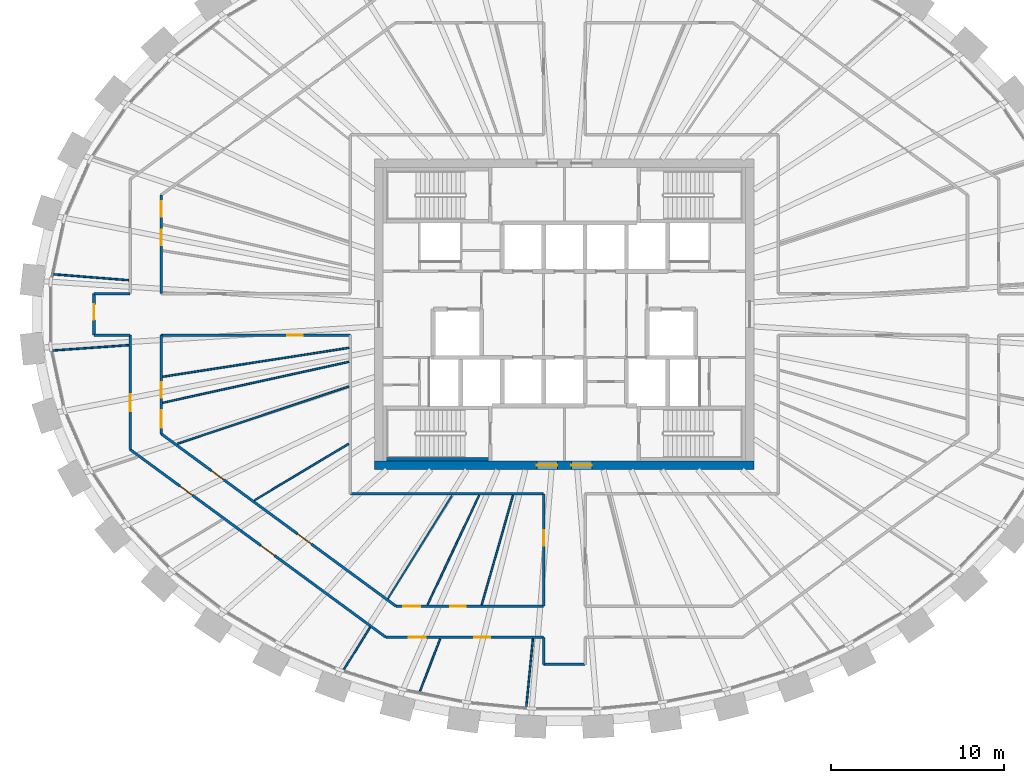
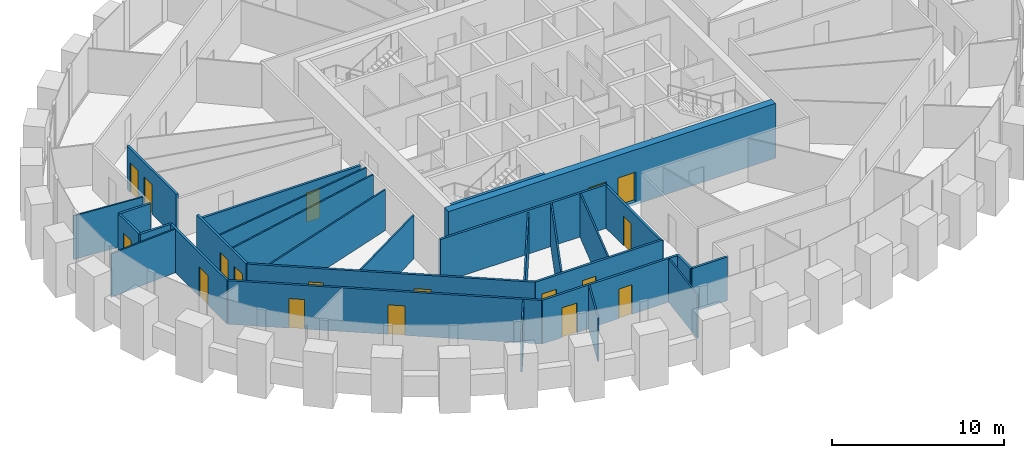
# One storey, part 6 of 12: 29 walls, 18 doors, 18 openings.
"""IFC4 building model written with IfcOpenShell, lengths in metres."""

from ifc_helpers import new_model, si_unit, direction, frame, frame_2d, origin, place, context, subcontext, project, spatial, rectangle, extrude, source, transform, mapped, material, layer, layer_set, type_object, element, fill, save


model = new_model("IFC4")

# Units and contexts
model_context = context("Model", 3, precision=1e-05, world=origin(), true_north=direction((0.0, 1.0)))
body_context = subcontext(model_context, "Body", "Model", "MODEL_VIEW")
ifc_project = project(units=[si_unit("LENGTHUNIT", "METRE"), si_unit("AREAUNIT", "SQUARE_METRE"), si_unit("VOLUMEUNIT", "CUBIC_METRE"), si_unit("PLANEANGLEUNIT", "RADIAN"), si_unit("MASSUNIT", "GRAM", prefix="KILO")], contexts=[model_context])

# Site, building, storey
site_placement = place(None, origin())
site = spatial("IfcSite", under=ifc_project, at=site_placement, CompositionType="ELEMENT")
building_placement = place(site_placement, origin())
building = spatial("IfcBuilding", under=site, at=building_placement, Name="Embergate Tower", CompositionType="ELEMENT")
storey_placement = place(building_placement, frame((0.0, 0.0, 293.5)))
storey = spatial("IfcBuildingStorey", under=building, at=storey_placement, Name="L68", CompositionType="ELEMENT", Elevation=293.5)

# Wall, openings, doors
ifc_material_1 = material(Name="Concrete C50", Category="concrete")
ifc_layer_1 = layer(ifc_material_1, 0.5)
ifc_layer_set_1 = layer_set([ifc_layer_1], Name="Concrete C50")
wall_type_1 = type_object("IfcWallType", Name="Core outer wall C50 500", PredefinedType="SHEAR", material=ifc_layer_set_1)
shared_shape_1 = source(origin(), body_context, "Body", "SweptSolid", [
    extrude(rectangle(XDim=22.0, YDim=0.5, at=frame_2d((11.0, 0.0))), origin(), (0.0, 0.0, 1.0), 3.89990234375),
])
wall_1_placement = place(storey_placement, frame((-11.0, -8.75, -0.199951171875), z_axis=(0.0, 0.0, 1.0), x_axis=(1.0, 0.0, 0.0)))
wall_1 = element("IfcWall", 1, at=wall_1_placement, inside=storey, type_object=wall_type_1, Name="CW-L68-S", PredefinedType="SHEAR", context=body_context, shape_type="MappedRepresentation", body=[
    mapped(shared_shape_1, transform((0.0, 0.0, 0.0))),
])
shared_shape_2 = source(origin(), body_context, "Body", "SweptSolid", [
    extrude(rectangle(XDim=1.199951171875, YDim=2.10009765625, at=frame_2d((0.60009765625, 1.050048828125))), frame((0.0, 0.260009765625, 0.0), z_axis=(0.0, -1.0, 0.0), x_axis=(1.0, 0.0, 0.0)), (0.0, 0.0, 1.0), 0.52001953125),
])
opening_1_placement = place(wall_1_placement, frame((9.39990234375, 0.0, 0.199951171875)))
opening_1 = element("IfcOpeningElement", 2, at=opening_1_placement, cuts=wall_1, Name="Opening IF-1", PredefinedType="OPENING", context=body_context, shape_type="MappedRepresentation", body=[
    mapped(shared_shape_2, transform((0.0, 0.0, 0.0))),
])
opening_2_placement = place(wall_1_placement, frame((11.39990234375, 0.0, 0.199951171875)))
opening_2 = element("IfcOpeningElement", 3, at=opening_2_placement, cuts=wall_1, Name="Opening IF-1", PredefinedType="OPENING", context=body_context, shape_type="MappedRepresentation", body=[
    mapped(shared_shape_2, transform((0.0, 0.0, 0.0))),
])
ifc_material_2 = material(Name="Escape fire door 1200")
door_type_1 = type_object("IfcDoorType", Name="Escape fire door 1200", OperationType="SINGLE_SWING_LEFT", PredefinedType="DOOR", material=ifc_material_2)
shared_shape_3 = source(origin(), body_context, "Body", "SweptSolid", [
    extrude(rectangle(XDim=1.199951171875, YDim=2.10009765625, at=frame_2d((0.60009765625, 1.050048828125))), frame((0.0, 0.02490234375, 0.0), z_axis=(0.0, -1.0, 0.0), x_axis=(1.0, 0.0, 0.0)), (0.0, 0.0, 1.0), 0.050048828125),
])
door_1_placement = place(opening_1_placement, origin())
door_1 = element("IfcDoor", 4, at=door_1_placement, inside=storey, type_object=door_type_1, Name="IF-1 door", OperationType="SINGLE_SWING_RIGHT", OverallHeight=2.10009765625, OverallWidth=1.199951171875, PredefinedType="DOOR", context=body_context, shape_type="MappedRepresentation", body=[
    mapped(shared_shape_3, transform((0.0, 0.0, 0.0))),
])
fill(opening_1, door_1)
door_2_placement = place(opening_2_placement, origin())
door_2 = element("IfcDoor", 5, at=door_2_placement, inside=storey, type_object=door_type_1, Name="IF-1 door", OperationType="SINGLE_SWING_LEFT", OverallHeight=2.10009765625, OverallWidth=1.199951171875, PredefinedType="DOOR", context=body_context, shape_type="MappedRepresentation", body=[
    mapped(shared_shape_3, transform((0.0, 0.0, 0.0))),
])
fill(opening_2, door_2)

# Walls
ifc_layer_2 = layer(ifc_material_1, 0.199951171875)
ifc_layer_set_2 = layer_set([ifc_layer_2], Name="Concrete C50")
wall_type_2 = type_object("IfcWallType", Name="Stair enclosure wall reinforced concrete 250", PredefinedType="SHEAR", material=ifc_layer_set_2)
shared_shape_4 = source(origin(), body_context, "Body", "SweptSolid", [
    extrude(rectangle(XDim=6.298095703125, YDim=0.199951171875, at=frame_2d((3.14892578125, 0.0))), origin(), (0.0, 0.0, 1.0), 3.699951171875),
])
wall_2_placement = place(storey_placement, frame((-10.5, -8.39990234375, 0.0), z_axis=(0.0, 0.0, 1.0), x_axis=(1.0, 0.0, 0.0)))
element("IfcWall", 6, at=wall_2_placement, inside=storey, type_object=wall_type_2, Name="SE-1 wall", PredefinedType="SHEAR", context=body_context, shape_type="MappedRepresentation", body=[
    mapped(shared_shape_4, transform((0.0, 0.0, 0.0))),
])
ifc_material_3 = material(Name="Corridor wall dry-lined 150")
ifc_layer_3 = layer(ifc_material_3, 0.14990234375)
ifc_layer_set_3 = layer_set([ifc_layer_3], Name="Corridor wall dry-lined 150")
wall_type_3 = type_object("IfcWallType", Name="Corridor wall dry-lined 150", PredefinedType="PARTITIONING", material=ifc_layer_set_3)
shared_shape_5 = source(origin(), body_context, "Body", "SweptSolid", [
    extrude(rectangle(XDim=11.199951171875, YDim=0.14990234375, at=frame_2d((5.60009765625, 0.0))), origin(), (0.0, 0.0, 1.0), 3.10009765625),
])
wall_3_placement = place(storey_placement, frame((-12.39990234375, -10.39990234375, 0.0), z_axis=(0.0, 0.0, 1.0), x_axis=(1.0, 0.0, 0.0)))
element("IfcWall", 7, at=wall_3_placement, inside=storey, type_object=wall_type_3, Name="IP-2 wall", PredefinedType="PARTITIONING", context=body_context, shape_type="MappedRepresentation", body=[
    mapped(shared_shape_5, transform((0.0, 0.0, 0.0))),
])
shared_shape_6 = source(origin(), body_context, "Body", "SweptSolid", [
    extrude(rectangle(XDim=2.39990234375, YDim=0.14990234375, at=frame_2d((1.199951171875, 0.0))), origin(), (0.0, 0.0, 1.0), 3.10009765625),
])
wall_4_placement = place(storey_placement, frame((1.199951171875, -20.281005859375, 0.0), z_axis=(0.0, 0.0, 1.0), x_axis=(-1.0, 0.0, 0.0)))
element("IfcWall", 8, at=wall_4_placement, inside=storey, type_object=wall_type_3, Name="IP-2 wall", PredefinedType="PARTITIONING", context=body_context, shape_type="MappedRepresentation", body=[
    mapped(shared_shape_6, transform((0.0, 0.0, 0.0))),
])

# Wall, opening, door
wall_5_placement = place(storey_placement, frame((-27.264892578125, -1.199951171875, 0.0), z_axis=(0.0, 0.0, 1.0), x_axis=(0.0, 1.0, 0.0)))
wall_5 = element("IfcWall", 9, at=wall_5_placement, inside=storey, type_object=wall_type_3, Name="IP-2 wall", PredefinedType="PARTITIONING", context=body_context, shape_type="MappedRepresentation", body=[
    mapped(shared_shape_6, transform((0.0, 0.0, 0.0))),
])
shared_shape_7 = source(origin(), body_context, "Body", "SweptSolid", [
    extrude(rectangle(XDim=0.89990234375, YDim=2.10009765625, at=frame_2d((0.449951171875, 1.050048828125))), frame((0.0, 0.0849609375, 0.0), z_axis=(0.0, -1.0, 0.0), x_axis=(1.0, 0.0, 0.0)), (0.0, 0.0, 1.0), 0.169921875),
])
opening_3_placement = place(wall_5_placement, frame((0.8759765625, 0.0, 0.0)))
opening_3 = element("IfcOpeningElement", 10, at=opening_3_placement, cuts=wall_5, Name="Opening IF-1c", PredefinedType="OPENING", context=body_context, shape_type="MappedRepresentation", body=[
    mapped(shared_shape_7, transform((0.0, 0.0, 0.0))),
])
ifc_material_4 = material(Name="Escape fire door 900")
door_type_2 = type_object("IfcDoorType", Name="Escape fire door 900", OperationType="SINGLE_SWING_LEFT", PredefinedType="DOOR", material=ifc_material_4)
shared_shape_8 = source(origin(), body_context, "Body", "SweptSolid", [
    extrude(rectangle(XDim=0.89990234375, YDim=2.10009765625, at=frame_2d((0.449951171875, 1.050048828125))), frame((0.0, 0.02490234375, 0.0), z_axis=(0.0, -1.0, 0.0), x_axis=(1.0, 0.0, 0.0)), (0.0, 0.0, 1.0), 0.050048828125),
])
door_3_placement = place(opening_3_placement, origin())
door_3 = element("IfcDoor", 11, at=door_3_placement, inside=storey, type_object=door_type_2, Name="IF-1 door", OperationType="SINGLE_SWING_RIGHT", OverallHeight=2.10009765625, OverallWidth=0.89990234375, PredefinedType="DOOR", context=body_context, shape_type="MappedRepresentation", body=[
    mapped(shared_shape_8, transform((0.0, 0.0, 0.0))),
])
fill(opening_3, door_3)

# Wall, openings, doors
shared_shape_9 = source(origin(), body_context, "Body", "SweptSolid", [
    extrude(rectangle(XDim=18.38427734375, YDim=0.14990234375, at=frame_2d((9.192138671875, 0.0))), origin(), (0.0, 0.0, 1.0), 3.10009765625),
])
wall_6_placement = place(storey_placement, frame((-25.166015625, -7.833984375, 0.0), z_axis=(0.0, 0.0, 1.0), x_axis=(0.80612330372, -0.591747597545, 0.0)))
wall_6 = element("IfcWall", 12, at=wall_6_placement, inside=storey, type_object=wall_type_3, Name="IP-2 wall", PredefinedType="PARTITIONING", context=body_context, shape_type="MappedRepresentation", body=[
    mapped(shared_shape_9, transform((0.0, 0.0, 0.0))),
])
opening_4_placement = place(wall_6_placement, frame((3.58349609375, 0.0, 0.0)))
opening_4 = element("IfcOpeningElement", 13, at=opening_4_placement, cuts=wall_6, Name="Opening IF-1c", PredefinedType="OPENING", context=body_context, shape_type="MappedRepresentation", body=[
    mapped(shared_shape_7, transform((0.0, 0.0, 0.0))),
])
shared_shape_10 = source(origin(), body_context, "Body", "SweptSolid", [
    extrude(rectangle(XDim=1.0, YDim=2.10009765625, at=frame_2d((0.5, 1.050048828125))), frame((0.0, 0.0849609375, 0.0), z_axis=(0.0, -1.0, 0.0), x_axis=(1.0, 0.0, 0.0)), (0.0, 0.0, 1.0), 0.169921875),
])
opening_5_placement = place(wall_6_placement, frame((9.37744140625, 0.0, 0.0)))
opening_5 = element("IfcOpeningElement", 14, at=opening_5_placement, cuts=wall_6, Name="Opening ID-2", PredefinedType="OPENING", context=body_context, shape_type="MappedRepresentation", body=[
    mapped(shared_shape_10, transform((0.0, 0.0, 0.0))),
])
door_4_placement = place(opening_4_placement, origin())
door_4 = element("IfcDoor", 15, at=door_4_placement, inside=storey, type_object=door_type_2, Name="IF-1 door", OperationType="SINGLE_SWING_RIGHT", OverallHeight=2.10009765625, OverallWidth=0.89990234375, PredefinedType="DOOR", context=body_context, shape_type="MappedRepresentation", body=[
    mapped(shared_shape_8, transform((0.0, 0.0, 0.0))),
])
fill(opening_4, door_4)
ifc_material_5 = material(Name="Interior door 1000")
door_type_3 = type_object("IfcDoorType", Name="Interior door 1000", OperationType="SINGLE_SWING_LEFT", PredefinedType="DOOR", material=ifc_material_5)
shared_shape_11 = source(origin(), body_context, "Body", "SweptSolid", [
    extrude(rectangle(XDim=1.0, YDim=2.10009765625, at=frame_2d((0.5, 1.050048828125))), frame((0.0, 0.02490234375, 0.0), z_axis=(0.0, -1.0, 0.0), x_axis=(1.0, 0.0, 0.0)), (0.0, 0.0, 1.0), 0.050048828125),
])
door_5_placement = place(opening_5_placement, origin())
door_5 = element("IfcDoor", 16, at=door_5_placement, inside=storey, type_object=door_type_3, Name="ID-2 door", OperationType="SINGLE_SWING_LEFT", OverallHeight=2.10009765625, OverallWidth=1.0, PredefinedType="DOOR", context=body_context, shape_type="MappedRepresentation", body=[
    mapped(shared_shape_11, transform((0.0, 0.0, 0.0))),
])
fill(opening_5, door_5)

shared_shape_12 = source(origin(), body_context, "Body", "SweptSolid", [
    extrude(rectangle(XDim=16.8828125, YDim=0.14990234375, at=frame_2d((8.44140625, 0.0))), origin(), (0.0, 0.0, 1.0), 3.10009765625),
])
wall_7_placement = place(storey_placement, frame((-9.756103515625, -16.9130859375, 0.0), z_axis=(0.0, 0.0, 1.0), x_axis=(-0.806138724475, 0.591726589653, 0.0)))
wall_7 = element("IfcWall", 17, at=wall_7_placement, inside=storey, type_object=wall_type_3, Name="IP-2 wall", PredefinedType="PARTITIONING", context=body_context, shape_type="MappedRepresentation", body=[
    mapped(shared_shape_12, transform((0.0, 0.0, 0.0))),
])
opening_6_placement = place(wall_7_placement, frame((12.373779296875, 0.0, 0.0)))
opening_6 = element("IfcOpeningElement", 18, at=opening_6_placement, cuts=wall_7, Name="Opening IF-1c", PredefinedType="OPENING", context=body_context, shape_type="MappedRepresentation", body=[
    mapped(shared_shape_7, transform((0.0, 0.0, 0.0))),
])
opening_7_placement = place(wall_7_placement, frame((6.087890625, 0.0, 0.0)))
opening_7 = element("IfcOpeningElement", 19, at=opening_7_placement, cuts=wall_7, Name="Opening ID-2", PredefinedType="OPENING", context=body_context, shape_type="MappedRepresentation", body=[
    mapped(shared_shape_10, transform((0.0, 0.0, 0.0))),
])
door_6_placement = place(opening_6_placement, origin())
door_6 = element("IfcDoor", 20, at=door_6_placement, inside=storey, type_object=door_type_2, Name="IF-1 door", OperationType="SINGLE_SWING_LEFT", OverallHeight=2.10009765625, OverallWidth=0.89990234375, PredefinedType="DOOR", context=body_context, shape_type="MappedRepresentation", body=[
    mapped(shared_shape_8, transform((0.0, 0.0, 0.0))),
])
fill(opening_6, door_6)
door_7_placement = place(opening_7_placement, origin())
door_7 = element("IfcDoor", 21, at=door_7_placement, inside=storey, type_object=door_type_3, Name="ID-2 door", OperationType="SINGLE_SWING_RIGHT", OverallHeight=2.10009765625, OverallWidth=1.0, PredefinedType="DOOR", context=body_context, shape_type="MappedRepresentation", body=[
    mapped(shared_shape_11, transform((0.0, 0.0, 0.0))),
])
fill(opening_7, door_7)

shared_shape_13 = source(origin(), body_context, "Body", "SweptSolid", [
    extrude(rectangle(XDim=9.14599609375, YDim=0.14990234375, at=frame_2d((4.572998046875, 0.0))), origin(), (0.0, 0.0, 1.0), 3.10009765625),
])
wall_8_placement = place(storey_placement, frame((-10.345947265625, -18.712890625, 0.0), z_axis=(0.0, 0.0, 1.0), x_axis=(1.0, 0.0, 0.0)))
wall_8 = element("IfcWall", 22, at=wall_8_placement, inside=storey, type_object=wall_type_3, Name="IP-2 wall", PredefinedType="PARTITIONING", context=body_context, shape_type="MappedRepresentation", body=[
    mapped(shared_shape_13, transform((0.0, 0.0, 0.0))),
])
opening_8_placement = place(wall_8_placement, frame((1.31298828125, 0.0, 0.0)))
opening_8 = element("IfcOpeningElement", 23, at=opening_8_placement, cuts=wall_8, Name="Opening ID-2", PredefinedType="OPENING", context=body_context, shape_type="MappedRepresentation", body=[
    mapped(shared_shape_10, transform((0.0, 0.0, 0.0))),
])
opening_9_placement = place(wall_8_placement, frame((5.135009765625, 0.0, 0.0)))
opening_9 = element("IfcOpeningElement", 24, at=opening_9_placement, cuts=wall_8, Name="Opening IF-1c", PredefinedType="OPENING", context=body_context, shape_type="MappedRepresentation", body=[
    mapped(shared_shape_7, transform((0.0, 0.0, 0.0))),
])
door_8_placement = place(opening_9_placement, origin())
door_8 = element("IfcDoor", 25, at=door_8_placement, inside=storey, type_object=door_type_2, Name="IF-1 door", OperationType="SINGLE_SWING_RIGHT", OverallHeight=2.10009765625, OverallWidth=0.89990234375, PredefinedType="DOOR", context=body_context, shape_type="MappedRepresentation", body=[
    mapped(shared_shape_8, transform((0.0, 0.0, 0.0))),
])
fill(opening_9, door_8)
door_9_placement = place(opening_8_placement, origin())
door_9 = element("IfcDoor", 26, at=door_9_placement, inside=storey, type_object=door_type_3, Name="ID-2 door", OperationType="SINGLE_SWING_RIGHT", OverallHeight=2.10009765625, OverallWidth=1.0, PredefinedType="DOOR", context=body_context, shape_type="MappedRepresentation", body=[
    mapped(shared_shape_11, transform((0.0, 0.0, 0.0))),
])
fill(opening_8, door_9)

# Wall
shared_shape_14 = source(origin(), body_context, "Body", "SweptSolid", [
    extrude(rectangle(XDim=1.568115234375, YDim=0.14990234375, at=frame_2d((0.7841796875, 0.0))), origin(), (0.0, 0.0, 1.0), 3.10009765625),
])
wall_9_placement = place(storey_placement, frame((-1.199951171875, -20.281005859375, 0.0), z_axis=(0.0, 0.0, 1.0), x_axis=(0.0, 1.0, 0.0)))
element("IfcWall", 27, at=wall_9_placement, inside=storey, type_object=wall_type_3, Name="IP-2 wall", PredefinedType="PARTITIONING", context=body_context, shape_type="MappedRepresentation", body=[
    mapped(shared_shape_14, transform((0.0, 0.0, 0.0))),
])

# Wall, openings, doors
shared_shape_15 = source(origin(), body_context, "Body", "SweptSolid", [
    extrude(rectangle(XDim=8.55615234375, YDim=0.14990234375, at=frame_2d((4.278076171875, 0.0))), origin(), (0.0, 0.0, 1.0), 3.10009765625),
])
wall_10_placement = place(storey_placement, frame((-1.199951171875, -16.9130859375, 0.0), z_axis=(0.0, 0.0, 1.0), x_axis=(-1.0, 0.0, 0.0)))
wall_10 = element("IfcWall", 28, at=wall_10_placement, inside=storey, type_object=wall_type_3, Name="IP-2 wall", PredefinedType="PARTITIONING", context=body_context, shape_type="MappedRepresentation", body=[
    mapped(shared_shape_15, transform((0.0, 0.0, 0.0))),
])
opening_10_placement = place(wall_10_placement, frame((7.14990234375, 0.0, 0.0)))
opening_10 = element("IfcOpeningElement", 29, at=opening_10_placement, cuts=wall_10, Name="Opening ID-2", PredefinedType="OPENING", context=body_context, shape_type="MappedRepresentation", body=[
    mapped(shared_shape_10, transform((0.0, 0.0, 0.0))),
])
opening_11_placement = place(wall_10_placement, frame((4.509033203125, 0.0, 0.0)))
opening_11 = element("IfcOpeningElement", 30, at=opening_11_placement, cuts=wall_10, Name="Opening IF-1c", PredefinedType="OPENING", context=body_context, shape_type="MappedRepresentation", body=[
    mapped(shared_shape_7, transform((0.0, 0.0, 0.0))),
])
door_10_placement = place(opening_11_placement, origin())
door_10 = element("IfcDoor", 31, at=door_10_placement, inside=storey, type_object=door_type_2, Name="IF-1 door", OperationType="SINGLE_SWING_LEFT", OverallHeight=2.10009765625, OverallWidth=0.89990234375, PredefinedType="DOOR", context=body_context, shape_type="MappedRepresentation", body=[
    mapped(shared_shape_8, transform((0.0, 0.0, 0.0))),
])
fill(opening_11, door_10)
door_11_placement = place(opening_10_placement, origin())
door_11 = element("IfcDoor", 32, at=door_11_placement, inside=storey, type_object=door_type_3, Name="ID-2 door", OperationType="SINGLE_SWING_LEFT", OverallHeight=2.10009765625, OverallWidth=1.0, PredefinedType="DOOR", context=body_context, shape_type="MappedRepresentation", body=[
    mapped(shared_shape_11, transform((0.0, 0.0, 0.0))),
])
fill(opening_10, door_11)

# Wall, opening, door
shared_shape_16 = source(origin(), body_context, "Body", "SweptSolid", [
    extrude(rectangle(XDim=6.51318359375, YDim=0.14990234375, at=frame_2d((3.256591796875, 0.0))), origin(), (0.0, 0.0, 1.0), 3.0),
])
wall_11_placement = place(storey_placement, frame((-1.199951171875, -16.9130859375, 0.0), z_axis=(0.0, 0.0, 1.0), x_axis=(0.0, 1.0, 0.0)))
wall_11 = element("IfcWall", 33, at=wall_11_placement, inside=storey, type_object=wall_type_3, Name="IP-2 wall", PredefinedType="PARTITIONING", context=body_context, shape_type="MappedRepresentation", body=[
    mapped(shared_shape_16, transform((0.0, 0.0, 0.0))),
])
opening_12_placement = place(wall_11_placement, frame((3.50830078125, 0.0, 0.0)))
opening_12 = element("IfcOpeningElement", 34, at=opening_12_placement, cuts=wall_11, Name="Opening IF-1c", PredefinedType="OPENING", context=body_context, shape_type="MappedRepresentation", body=[
    mapped(shared_shape_7, transform((0.0, 0.0, 0.0))),
])
door_12_placement = place(opening_12_placement, origin())
door_12 = element("IfcDoor", 35, at=door_12_placement, inside=storey, type_object=door_type_2, Name="IF-1 door", OperationType="SINGLE_SWING_LEFT", OverallHeight=2.10009765625, OverallWidth=0.89990234375, PredefinedType="DOOR", context=body_context, shape_type="MappedRepresentation", body=[
    mapped(shared_shape_8, transform((0.0, 0.0, 0.0))),
])
fill(opening_12, door_12)

shared_shape_17 = source(origin(), body_context, "Body", "SweptSolid", [
    extrude(rectangle(XDim=6.634033203125, YDim=0.14990234375, at=frame_2d((3.31689453125, 0.0))), origin(), (0.0, 0.0, 1.0), 3.10009765625),
])
wall_12_placement = place(storey_placement, frame((-25.166015625, -7.833984375, 0.0), z_axis=(0.0, 0.0, 1.0), x_axis=(0.0, 1.0, 0.0)))
wall_12 = element("IfcWall", 36, at=wall_12_placement, inside=storey, type_object=wall_type_3, Name="IP-2 wall", PredefinedType="PARTITIONING", context=body_context, shape_type="MappedRepresentation", body=[
    mapped(shared_shape_17, transform((0.0, 0.0, 0.0))),
])
opening_13_placement = place(wall_12_placement, frame((2.21826171875, 0.0, 0.0)))
opening_13 = element("IfcOpeningElement", 37, at=opening_13_placement, cuts=wall_12, Name="Opening ID-2", PredefinedType="OPENING", context=body_context, shape_type="MappedRepresentation", body=[
    mapped(shared_shape_10, transform((0.0, 0.0, 0.0))),
])
door_13_placement = place(opening_13_placement, origin())
door_13 = element("IfcDoor", 38, at=door_13_placement, inside=storey, type_object=door_type_3, Name="ID-2 door", OperationType="SINGLE_SWING_RIGHT", OverallHeight=2.10009765625, OverallWidth=1.0, PredefinedType="DOOR", context=body_context, shape_type="MappedRepresentation", body=[
    mapped(shared_shape_11, transform((0.0, 0.0, 0.0))),
])
fill(opening_13, door_13)

# Walls
shared_shape_18 = source(origin(), body_context, "Body", "SweptSolid", [
    extrude(rectangle(XDim=2.098876953125, YDim=0.14990234375, at=frame_2d((1.04931640625, 0.0))), origin(), (0.0, 0.0, 1.0), 3.10009765625),
])
for number, where, z_axis, x_axis, name in (
    (39, (-25.166015625, -1.199951171875, 0.0), (0.0, 0.0, 1.0), (-1.0, 0.0, 0.0), "IP-2 wall"),
    (40, (-27.264892578125, 1.199951171875, 0.0), (0.0, 0.0, 1.0), (1.0, 0.0, 0.0), "IP-2 wall"),
):
    element("IfcWall", number, at=place(storey_placement, frame(where, z_axis=z_axis, x_axis=x_axis)), inside=storey, type_object=wall_type_3, Name=name, PredefinedType="PARTITIONING", context=body_context, shape_type="MappedRepresentation", body=[
        mapped(shared_shape_18, transform((0.0, 0.0, 0.0))),
    ])

# Wall, openings, doors
shared_shape_19 = source(origin(), body_context, "Body", "SweptSolid", [
    extrude(rectangle(XDim=5.72314453125, YDim=0.14990234375, at=frame_2d((2.861572265625, 0.0))), origin(), (0.0, 0.0, 1.0), 3.10009765625),
])
wall_13_placement = place(storey_placement, frame((-23.365966796875, -1.199951171875, 0.0), z_axis=(0.0, 0.0, 1.0), x_axis=(0.0, -1.0, 0.0)))
wall_13 = element("IfcWall", 41, at=wall_13_placement, inside=storey, type_object=wall_type_3, Name="IP-2 wall", PredefinedType="PARTITIONING", context=body_context, shape_type="MappedRepresentation", body=[
    mapped(shared_shape_19, transform((0.0, 0.0, 0.0))),
])
opening_14_placement = place(wall_13_placement, frame((2.73388671875, 0.0, 0.0)))
opening_14 = element("IfcOpeningElement", 42, at=opening_14_placement, cuts=wall_13, Name="Opening IF-1c", PredefinedType="OPENING", context=body_context, shape_type="MappedRepresentation", body=[
    mapped(shared_shape_7, transform((0.0, 0.0, 0.0))),
])
opening_15_placement = place(wall_13_placement, frame((4.35791015625, 0.0, 0.0)))
opening_15 = element("IfcOpeningElement", 43, at=opening_15_placement, cuts=wall_13, Name="Opening ID-2", PredefinedType="OPENING", context=body_context, shape_type="MappedRepresentation", body=[
    mapped(shared_shape_10, transform((0.0, 0.0, 0.0))),
])
door_14_placement = place(opening_14_placement, origin())
door_14 = element("IfcDoor", 44, at=door_14_placement, inside=storey, type_object=door_type_2, Name="IF-1 door", OperationType="SINGLE_SWING_LEFT", OverallHeight=2.10009765625, OverallWidth=0.89990234375, PredefinedType="DOOR", context=body_context, shape_type="MappedRepresentation", body=[
    mapped(shared_shape_8, transform((0.0, 0.0, 0.0))),
])
fill(opening_14, door_14)
door_15_placement = place(opening_15_placement, origin())
door_15 = element("IfcDoor", 45, at=door_15_placement, inside=storey, type_object=door_type_3, Name="ID-2 door", OperationType="SINGLE_SWING_RIGHT", OverallHeight=2.10009765625, OverallWidth=1.0, PredefinedType="DOOR", context=body_context, shape_type="MappedRepresentation", body=[
    mapped(shared_shape_11, transform((0.0, 0.0, 0.0))),
])
fill(opening_15, door_15)

wall_14_placement = place(storey_placement, frame((-23.365966796875, 1.199951171875, 0.0), z_axis=(0.0, 0.0, 1.0), x_axis=(0.0, 1.0, 0.0)))
wall_14 = element("IfcWall", 46, at=wall_14_placement, inside=storey, type_object=wall_type_3, Name="IP-2 wall", PredefinedType="PARTITIONING", context=body_context, shape_type="MappedRepresentation", body=[
    mapped(shared_shape_19, transform((0.0, 0.0, 0.0))),
])
opening_16_placement = place(wall_14_placement, frame((4.448974609375, 0.0, 0.0)))
opening_16 = element("IfcOpeningElement", 47, at=opening_16_placement, cuts=wall_14, Name="Opening IF-1c", PredefinedType="OPENING", context=body_context, shape_type="MappedRepresentation", body=[
    mapped(shared_shape_7, transform((0.0, 0.0, 0.0))),
])
opening_17_placement = place(wall_14_placement, frame((2.81396484375, 0.0, 0.0)))
opening_17 = element("IfcOpeningElement", 48, at=opening_17_placement, cuts=wall_14, Name="Opening IF-1c", PredefinedType="OPENING", context=body_context, shape_type="MappedRepresentation", body=[
    mapped(shared_shape_7, transform((0.0, 0.0, 0.0))),
])
door_16_placement = place(opening_16_placement, origin())
door_16 = element("IfcDoor", 49, at=door_16_placement, inside=storey, type_object=door_type_2, Name="IF-1 door", OperationType="SINGLE_SWING_RIGHT", OverallHeight=2.10009765625, OverallWidth=0.89990234375, PredefinedType="DOOR", context=body_context, shape_type="MappedRepresentation", body=[
    mapped(shared_shape_8, transform((0.0, 0.0, 0.0))),
])
fill(opening_16, door_16)
door_17_placement = place(opening_17_placement, origin())
door_17 = element("IfcDoor", 50, at=door_17_placement, inside=storey, type_object=door_type_2, Name="IF-1 door", OperationType="SINGLE_SWING_RIGHT", OverallHeight=2.10009765625, OverallWidth=0.89990234375, PredefinedType="DOOR", context=body_context, shape_type="MappedRepresentation", body=[
    mapped(shared_shape_8, transform((0.0, 0.0, 0.0))),
])
fill(opening_17, door_17)

# Wall, opening, door
shared_shape_20 = source(origin(), body_context, "Body", "SweptSolid", [
    extrude(rectangle(XDim=10.966064453125, YDim=0.14990234375, at=frame_2d((5.48291015625, 0.0))), origin(), (0.0, 0.0, 1.0), 2.800048828125),
])
wall_15_placement = place(storey_placement, frame((-12.39990234375, -1.199951171875, 0.0), z_axis=(0.0, 0.0, 1.0), x_axis=(-1.0, 0.0, 0.0)))
wall_15 = element("IfcWall", 51, at=wall_15_placement, inside=storey, type_object=wall_type_3, Name="IP-2 wall", PredefinedType="PARTITIONING", context=body_context, shape_type="MappedRepresentation", body=[
    mapped(shared_shape_20, transform((0.0, 0.0, 0.0))),
])
opening_18_placement = place(wall_15_placement, frame((2.760986328125, 0.0, 0.0)))
opening_18 = element("IfcOpeningElement", 52, at=opening_18_placement, cuts=wall_15, Name="Opening IF-1c", PredefinedType="OPENING", context=body_context, shape_type="MappedRepresentation", body=[
    mapped(shared_shape_7, transform((0.0, 0.0, 0.0))),
])
door_18_placement = place(opening_18_placement, origin())
door_18 = element("IfcDoor", 53, at=door_18_placement, inside=storey, type_object=door_type_2, Name="IF-1 door", OperationType="SINGLE_SWING_LEFT", OverallHeight=2.10009765625, OverallWidth=0.89990234375, PredefinedType="DOOR", context=body_context, shape_type="MappedRepresentation", body=[
    mapped(shared_shape_8, transform((0.0, 0.0, 0.0))),
])
fill(opening_18, door_18)

# Walls
ifc_material_6 = material(Name="Partition dry-lined 100")
ifc_layer_4 = layer(ifc_material_6, 0.10009765625)
ifc_layer_set_4 = layer_set([ifc_layer_4], Name="Partition dry-lined 100")
wall_type_4 = type_object("IfcWallType", Name="Partition dry-lined 100", PredefinedType="PARTITIONING", material=ifc_layer_set_4)
shared_shape_21 = source(origin(), body_context, "Body", "SweptSolid", [
    extrude(rectangle(XDim=2.969482421875, YDim=0.10009765625, at=frame_2d((1.48486328125, 0.0))), origin(), (0.0, 0.0, 1.0), 3.0),
])
wall_16_placement = place(storey_placement, frame((-11.259033203125, -18.135986328125, 0.0), z_axis=(0.0, 0.0, 1.0), x_axis=(-0.527350581852, -0.849647788098, 0.0)))
element("IfcWall", 54, at=wall_16_placement, inside=storey, type_object=wall_type_4, Name="IP-1 wall", PredefinedType="PARTITIONING", context=body_context, shape_type="MappedRepresentation", body=[
    mapped(shared_shape_21, transform((0.0, 0.0, 0.0))),
])
shared_shape_22 = source(origin(), body_context, "Body", "SweptSolid", [
    extrude(rectangle(XDim=6.365966796875, YDim=0.10009765625, at=frame_2d((3.18310546875, 0.0))), origin(), (0.0, 0.0, 1.0), 3.10009765625),
])
wall_17_placement = place(storey_placement, frame((-12.5009765625, -7.4990234375, 0.0), z_axis=(0.0, 0.0, 1.0), x_axis=(-0.857526762912, -0.51443935589, 0.0)))
element("IfcWall", 55, at=wall_17_placement, inside=storey, type_object=wall_type_4, Name="IP-1 wall", PredefinedType="PARTITIONING", context=body_context, shape_type="MappedRepresentation", body=[
    mapped(shared_shape_22, transform((0.0, 0.0, 0.0))),
])
shared_shape_23 = source(origin(), body_context, "Body", "SweptSolid", [
    extrude(rectangle(XDim=10.462158203125, YDim=0.10009765625, at=frame_2d((5.23095703125, 0.0))), origin(), (0.0, 0.0, 1.0), 2.89990234375),
])
wall_18_placement = place(storey_placement, frame((-12.490966796875, -4.176025390625, 0.0), z_axis=(0.0, 0.0, 1.0), x_axis=(-0.948381839058, -0.317130710189, 0.0)))
element("IfcWall", 56, at=wall_18_placement, inside=storey, type_object=wall_type_4, Name="IP-1 wall", PredefinedType="PARTITIONING", context=body_context, shape_type="MappedRepresentation", body=[
    mapped(shared_shape_23, transform((0.0, 0.0, 0.0))),
])
shared_shape_24 = source(origin(), body_context, "Body", "SweptSolid", [
    extrude(rectangle(XDim=7.03125, YDim=0.10009765625, at=frame_2d((3.515625, 0.0))), origin(), (0.0, 0.0, 1.0), 3.0),
])
wall_19_placement = place(storey_placement, frame((-6.51904296875, -10.5009765625, 0.0), z_axis=(0.0, 0.0, 1.0), x_axis=(-0.527355947188, -0.849644457973, 0.0)))
element("IfcWall", 57, at=wall_19_placement, inside=storey, type_object=wall_type_4, Name="IP-1 wall", PredefinedType="PARTITIONING", context=body_context, shape_type="MappedRepresentation", body=[
    mapped(shared_shape_24, transform((0.0, 0.0, 0.0))),
])
shared_shape_25 = source(origin(), body_context, "Body", "SweptSolid", [
    extrude(rectangle(XDim=3.36767578125, YDim=0.10009765625, at=frame_2d((1.683837890625, 0.0))), origin(), (0.0, 0.0, 1.0), 3.10009765625),
])
wall_20_placement = place(storey_placement, frame((-7.202880859375, -18.805908203125, 0.0), z_axis=(0.0, 0.0, 1.0), x_axis=(-0.357550412508, -0.933893838996, 0.0)))
element("IfcWall", 58, at=wall_20_placement, inside=storey, type_object=wall_type_4, Name="IP-1 wall", PredefinedType="PARTITIONING", context=body_context, shape_type="MappedRepresentation", body=[
    mapped(shared_shape_25, transform((0.0, 0.0, 0.0))),
])
shared_shape_26 = source(origin(), body_context, "Body", "SweptSolid", [
    extrude(rectangle(XDim=4.044921875, YDim=0.10009765625, at=frame_2d((2.0224609375, 0.0))), origin(), (0.0, 0.0, 1.0), 3.10009765625),
])
wall_21_placement = place(storey_placement, frame((-1.822021484375, -18.7880859375, 0.0), z_axis=(0.0, 0.0, 1.0), x_axis=(-0.096634759005, -0.995319910055, 0.0)))
element("IfcWall", 59, at=wall_21_placement, inside=storey, type_object=wall_type_4, Name="IP-1 wall", PredefinedType="PARTITIONING", context=body_context, shape_type="MappedRepresentation", body=[
    mapped(shared_shape_26, transform((0.0, 0.0, 0.0))),
])
shared_shape_27 = source(origin(), body_context, "Body", "SweptSolid", [
    extrude(rectangle(XDim=6.9873046875, YDim=0.10009765625, at=frame_2d((3.49365234375, 0.0))), origin(), (0.0, 0.0, 1.0), 3.10009765625),
])
wall_22_placement = place(storey_placement, frame((-4.947021484375, -10.49609375, 0.0), z_axis=(0.0, 0.0, 1.0), x_axis=(-0.426210939292, -0.904623808679, 0.0)))
element("IfcWall", 60, at=wall_22_placement, inside=storey, type_object=wall_type_4, Name="IP-1 wall", PredefinedType="PARTITIONING", context=body_context, shape_type="MappedRepresentation", body=[
    mapped(shared_shape_27, transform((0.0, 0.0, 0.0))),
])
shared_shape_28 = source(origin(), body_context, "Body", "SweptSolid", [
    extrude(rectangle(XDim=6.58740234375, YDim=0.10009765625, at=frame_2d((3.293701171875, 0.0))), origin(), (0.0, 0.0, 1.0), 3.10009765625),
])
wall_23_placement = place(storey_placement, frame((-2.98291015625, -10.489013671875, 0.0), z_axis=(0.0, 0.0, 1.0), x_axis=(-0.273697939772, -0.961815698439, 0.0)))
element("IfcWall", 61, at=wall_23_placement, inside=storey, type_object=wall_type_4, Name="IP-1 wall", PredefinedType="PARTITIONING", context=body_context, shape_type="MappedRepresentation", body=[
    mapped(shared_shape_28, transform((0.0, 0.0, 0.0))),
])
shared_shape_29 = source(origin(), body_context, "Body", "SweptSolid", [
    extrude(rectangle(XDim=4.4716796875, YDim=0.10009765625, at=frame_2d((2.23583984375, 0.0))), origin(), (0.0, 0.0, 1.0), 3.10009765625),
])
wall_24_placement = place(storey_placement, frame((-25.240966796875, 1.98095703125, 0.0), z_axis=(0.0, 0.0, 1.0), x_axis=(-0.996930528603, 0.07829125838, 0.0)))
element("IfcWall", 62, at=wall_24_placement, inside=storey, type_object=wall_type_4, Name="IP-1 wall", PredefinedType="PARTITIONING", context=body_context, shape_type="MappedRepresentation", body=[
    mapped(shared_shape_29, transform((0.0, 0.0, 0.0))),
])
shared_shape_30 = source(origin(), body_context, "Body", "SweptSolid", [
    extrude(rectangle(XDim=4.503173828125, YDim=0.10009765625, at=frame_2d((2.25146484375, 0.0))), origin(), (0.0, 0.0, 1.0), 3.10009765625),
])
wall_25_placement = place(storey_placement, frame((-25.240966796875, -1.781982421875, 0.0), z_axis=(0.0, 0.0, 1.0), x_axis=(-0.997516981366, -0.070426357889, 0.0)))
element("IfcWall", 63, at=wall_25_placement, inside=storey, type_object=wall_type_4, Name="IP-1 wall", PredefinedType="PARTITIONING", context=body_context, shape_type="MappedRepresentation", body=[
    mapped(shared_shape_30, transform((0.0, 0.0, 0.0))),
])
shared_shape_31 = source(origin(), body_context, "Body", "SweptSolid", [
    extrude(rectangle(XDim=10.929443359375, YDim=0.10009765625, at=frame_2d((5.46484375, 0.0))), origin(), (0.0, 0.0, 1.0), 3.10009765625),
])
wall_26_placement = place(storey_placement, frame((-12.48291015625, -1.93798828125, 0.0), z_axis=(0.0, 0.0, 1.0), x_axis=(-0.988158200107, -0.153438494395, 0.0)))
element("IfcWall", 64, at=wall_26_placement, inside=storey, type_object=wall_type_4, Name="IP-1 wall", PredefinedType="PARTITIONING", context=body_context, shape_type="MappedRepresentation", body=[
    mapped(shared_shape_31, transform((0.0, 0.0, 0.0))),
])
shared_shape_32 = source(origin(), body_context, "Body", "SweptSolid", [
    extrude(rectangle(XDim=11.05224609375, YDim=0.10009765625, at=frame_2d((5.526123046875, 0.0))), origin(), (0.0, 0.0, 1.0), 3.10009765625),
])
wall_27_placement = place(storey_placement, frame((-12.486083984375, -2.748046875, 0.0), z_axis=(0.0, 0.0, 1.0), x_axis=(-0.976638162112, -0.214890437913, 0.0)))
element("IfcWall", 65, at=wall_27_placement, inside=storey, type_object=wall_type_4, Name="IP-1 wall", PredefinedType="PARTITIONING", context=body_context, shape_type="MappedRepresentation", body=[
    mapped(shared_shape_32, transform((0.0, 0.0, 0.0))),
])

save(model, "model.ifc")
